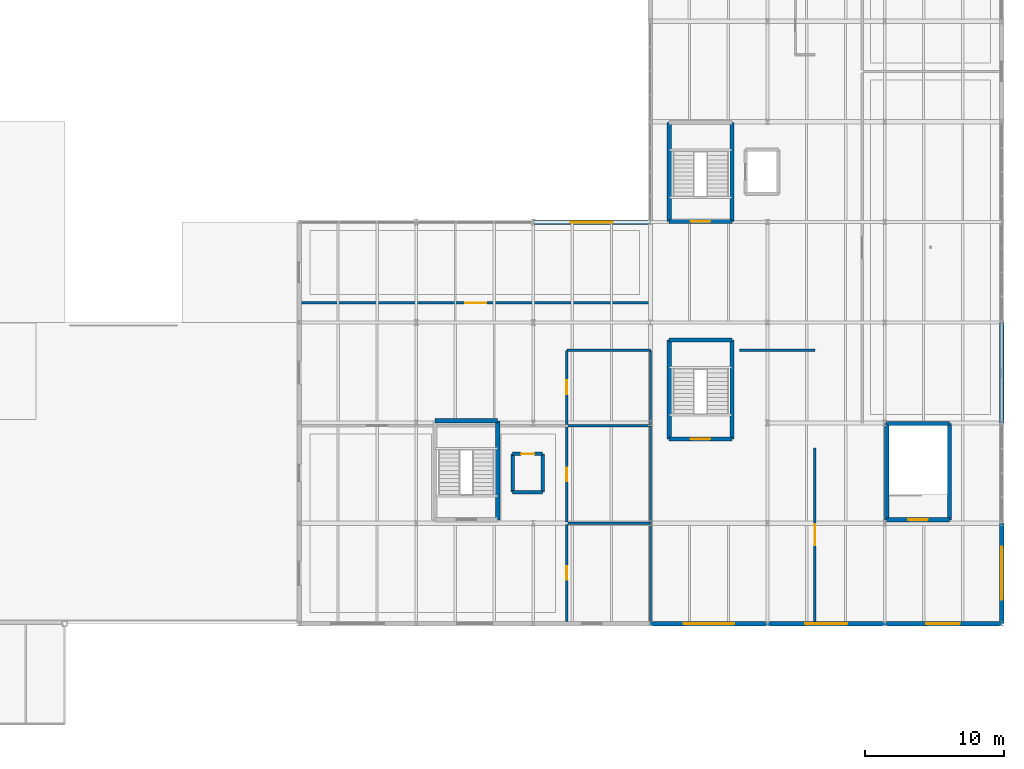
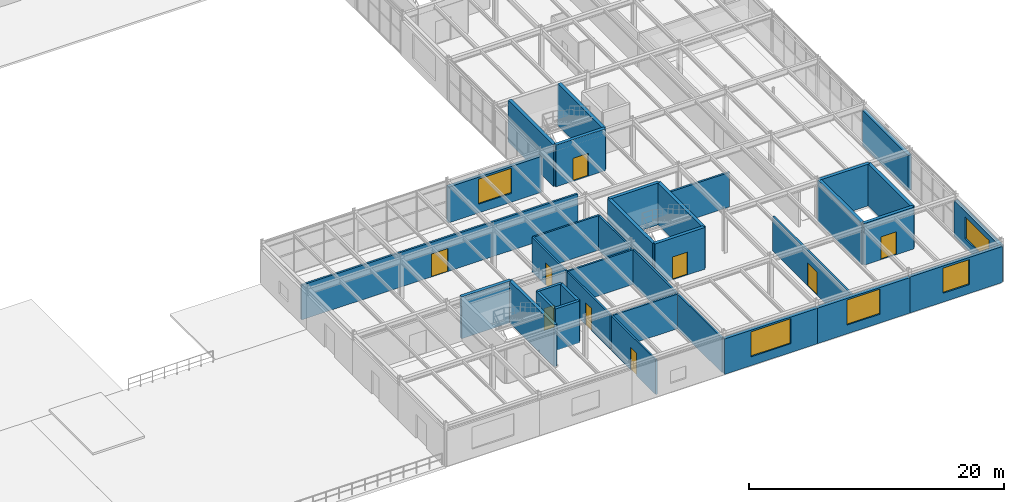
# One storey, part 65 of 73: 33 walls, 9 doors, 5 windows, 14 openings.
"""IFC4 building model written with IfcOpenShell, lengths in metres."""

import ifcopenshell
import ifcopenshell.guid

model = None  # the IFC model being written
_history = None  # IfcOwnerHistory: only IFC2X3 demands one
_inside = {}  # id of a spatial element -> (the spatial element, [elements in it])
_under = {}  # id of a project, library or spatial element -> (it, [spatial elements below it])
_declared = {}  # id of a project -> (the project, [libraries it declares])
_typed = {}  # id of a type object -> (the type object, [elements of that type])
_made_of = {}  # id of a material, layer set ... -> (it, [elements and type objects made of it])


def new_model(schema):
    """Start an empty IFC model of exactly this schema.

    Asked for "IFC4X3", IfcOpenShell would pick the latest addendum, in which some entities
    have other attributes; the version numbers below select the first issue.
    IFC2X3 requires an IfcOwnerHistory on every rooted entity: one is made here for all.
    """
    global model, _history
    if schema == "IFC4X3":
        model = ifcopenshell.file(schema_version=(4, 3, 0, 0))
    else:
        model = ifcopenshell.file(schema=schema)
    _inside.clear()
    _under.clear()
    _declared.clear()
    _typed.clear()
    _made_of.clear()
    _history = None
    if model.schema == "IFC2X3":
        org = make("IfcOrganization", Name="unknown")
        user = make(
            "IfcPersonAndOrganization",
            ThePerson=make("IfcPerson", FamilyName="unknown"),
            TheOrganization=org,
        )
        app = make(
            "IfcApplication",
            ApplicationDeveloper=org,
            Version="unknown",
            ApplicationFullName="unknown",
            ApplicationIdentifier="unknown",
        )
        _history = make(
            "IfcOwnerHistory",
            OwningUser=user,
            OwningApplication=app,
            ChangeAction="ADDED",
            CreationDate=0,
        )
    return model


def make(cls, **values):
    """One entity of the class cls with the attributes given. An attribute that is None is left unset."""
    return model.create_entity(
        cls, **{name: value for name, value in values.items() if value is not None}
    )


def rooted(cls, **values):
    """An entity with a GlobalId (a new one), such as an element, a storey or a relation."""
    return make(cls, GlobalId=ifcopenshell.guid.new(), OwnerHistory=_history, **values)


def si_unit(unit_type, name, prefix=None):
    """IfcSIUnit, for example si_unit("LENGTHUNIT", "METRE", prefix="MILLI")."""
    return make("IfcSIUnit", UnitType=unit_type, Prefix=prefix, Name=name)


def derived_unit(unit_type, elements):
    """IfcDerivedUnit: a product of units, each with its exponent."""
    return make(
        "IfcDerivedUnit",
        Elements=[
            make("IfcDerivedUnitElement", Unit=unit, Exponent=power)
            for unit, power in elements
        ],
        UnitType=unit_type,
    )


def assignment(units):
    """IfcUnitAssignment: the units of a project."""
    return None if units is None else make("IfcUnitAssignment", Units=units)


def point(xyz):
    """IfcCartesianPoint."""
    return None if xyz is None else make("IfcCartesianPoint", Coordinates=xyz)


def direction(xyz):
    """IfcDirection."""
    return None if xyz is None else make("IfcDirection", DirectionRatios=xyz)


def frame(location, z_axis=None, x_axis=None):
    """IfcAxis2Placement3D, a coordinate frame: its origin and axes. An axis left out is left unset."""
    return make(
        "IfcAxis2Placement3D",
        Location=point(location),
        Axis=direction(z_axis),
        RefDirection=direction(x_axis),
    )


def frame_2d(location, x_axis=None):
    """IfcAxis2Placement2D, a coordinate frame in the plane: its origin and x axis."""
    return make(
        "IfcAxis2Placement2D", Location=point(location), RefDirection=direction(x_axis)
    )


def origin():
    """The frame at (0, 0, 0) with its axes left unset."""
    return frame((0.0, 0.0, 0.0))


def place(relative_to, where):
    """IfcLocalPlacement: puts the frame where relative to a parent placement (None: the world)."""
    return make(
        "IfcLocalPlacement", PlacementRelTo=relative_to, RelativePlacement=where
    )


def context(
    kind, dimensions, precision=None, world=None, true_north=None, identifier=None
):
    """IfcGeometricRepresentationContext, for example the 3D "Model" context."""
    return make(
        "IfcGeometricRepresentationContext",
        ContextIdentifier=identifier,
        ContextType=kind,
        CoordinateSpaceDimension=dimensions,
        Precision=precision,
        WorldCoordinateSystem=world,
        TrueNorth=true_north,
    )


def subcontext(parent, identifier, kind, view, scale=None):
    """IfcGeometricRepresentationSubContext, for example "Body" below "Model"."""
    return make(
        "IfcGeometricRepresentationSubContext",
        ContextIdentifier=identifier,
        ContextType=kind,
        ParentContext=parent,
        TargetScale=scale,
        TargetView=view,
    )


def project(units=None, contexts=None):
    """IfcProject with its units and contexts."""
    return rooted(
        "IfcProject",
        Name="project",
        RepresentationContexts=contexts,
        UnitsInContext=assignment(units),
    )


def spatial(cls, under=None, at=None, **own):
    """A site, building, storey or space (cls), placed at a placement, below another one or the project."""
    s = rooted(cls, ObjectPlacement=at, **own)
    if under is not None:
        _under.setdefault(under.id(), (under, []))[1].append(s)
    return s


def profile(cls, at=None, kind="AREA", **sizes):
    """A parametric profile (cls). Its sizes go by their IFC names, for example OverallWidth=200.0."""
    return make(cls, ProfileType=kind, Position=at, **sizes)


def rectangle(**sizes):
    """IfcRectangleProfileDef."""
    return profile("IfcRectangleProfileDef", **sizes)


def extrude(swept, where, along, depth):
    """IfcExtrudedAreaSolid: the profile swept, set in the frame where, extruded along a direction by depth."""
    return make(
        "IfcExtrudedAreaSolid",
        SweptArea=swept,
        Position=where,
        ExtrudedDirection=direction(along),
        Depth=depth,
    )


def shape(context_of_items, identifier, shape_type, items):
    """IfcShapeRepresentation: the items that make up one representation, for example the "Body"."""
    return make(
        "IfcShapeRepresentation",
        ContextOfItems=context_of_items,
        RepresentationIdentifier=identifier,
        RepresentationType=shape_type,
        Items=items,
    )


def material(Name=None, Category=None):
    """IfcMaterial."""
    return make("IfcMaterial", Name=Name, Category=Category)


def layer(
    of_material, thickness, ventilated=None, Name=None, Category=None, Priority=None
):
    """IfcMaterialLayer: one layer of a wall or slab, of a material (None: an air gap)."""
    return make(
        "IfcMaterialLayer",
        Material=of_material,
        LayerThickness=thickness,
        IsVentilated=ventilated,
        Name=Name,
        Category=Category,
        Priority=Priority,
    )


def layer_set(layers, Name=None):
    """IfcMaterialLayerSet."""
    return make("IfcMaterialLayerSet", MaterialLayers=layers, LayerSetName=Name)


def made_of(thing, what):
    """Note that an element or type object is made of a material, layer set ...; save() writes the relation."""
    if what is not None:
        _made_of.setdefault(what.id(), (what, []))[1].append(thing)
    return thing


def type_object(cls, material=None, **own):
    """A type object (cls), such as IfcWallType, which elements share."""
    return made_of(rooted(cls, **own), material)


def element(
    cls,
    number,
    at=None,
    inside=None,
    cuts=None,
    type_object=None,
    material=None,
    context=None,
    identifier="Body",
    shape_type=None,
    held_by="IfcProductDefinitionShape",
    body=None,
    shapes=None,
    **own,
):
    """One element of the class cls, such as IfcWall. Its Tag is "e" and its number.

    at: its placement. inside: the storey or other place that contains it. cuts: it is an
    opening in that element (IfcRelVoidsElement). A single representation is given by context,
    identifier, shape_type and body (its items); several are given by shapes. held_by: the class
    of the entity that holds the representations. save() writes the other relations.
    """
    e = rooted(cls, Tag="e%d" % number, ObjectPlacement=at, **own)
    if body is not None:
        shapes = [shape(context, identifier, shape_type, body)]
    if shapes is not None:
        e.Representation = make(held_by, Representations=shapes)
    if inside is not None:
        _inside.setdefault(inside.id(), (inside, []))[1].append(e)
    if cuts is not None:
        rooted(
            "IfcRelVoidsElement", RelatingBuildingElement=cuts, RelatedOpeningElement=e
        )
    if type_object is not None:
        _typed.setdefault(type_object.id(), (type_object, []))[1].append(e)
    return made_of(e, material)


def fill(opening, filler):
    """IfcRelFillsElement: the door or window that sits in an opening."""
    return rooted(
        "IfcRelFillsElement",
        RelatingOpeningElement=opening,
        RelatedBuildingElement=filler,
    )


def aggregate(whole, parts):
    """IfcRelAggregates: a whole, such as a stair, and the parts it consists of."""
    return rooted("IfcRelAggregates", RelatingObject=whole, RelatedObjects=parts)


def save(model, path):
    """Write the relations noted so far, then the file.

    IfcRelAggregates (storeys below a building ...), IfcRelContainedInSpatialStructure (elements
    in a storey), IfcRelDefinesByType, IfcRelAssociatesMaterial and IfcRelDeclares: one each for
    every whole, place, type object, material and project.
    """
    for whole, parts in _under.values():
        aggregate(whole, parts)
    for where, things in _inside.values():
        rooted(
            "IfcRelContainedInSpatialStructure",
            RelatedElements=things,
            RelatingStructure=where,
        )
    for kind, things in _typed.values():
        rooted("IfcRelDefinesByType", RelatedObjects=things, RelatingType=kind)
    for what, things in _made_of.values():
        rooted("IfcRelAssociatesMaterial", RelatedObjects=things, RelatingMaterial=what)
    for by, libraries in _declared.values():
        rooted("IfcRelDeclares", RelatingContext=by, RelatedDefinitions=libraries)
    model.write(path)


model = new_model("IFC4")

# Units and contexts
model_context = context("Model", 3, precision=1e-05, world=origin(), true_north=direction((0.0, 1.0)))
body_context = subcontext(model_context, "Body", "Model", "MODEL_VIEW")
ifc_project = project(units=[si_unit("LENGTHUNIT", "METRE"), si_unit("AREAUNIT", "SQUARE_METRE"), si_unit("VOLUMEUNIT", "CUBIC_METRE"), si_unit("PLANEANGLEUNIT", "RADIAN"), si_unit("MASSUNIT", "GRAM", prefix="KILO"), derived_unit("THERMALTRANSMITTANCEUNIT", [(si_unit("MASSUNIT", "GRAM", prefix="KILO"), 1), (si_unit("TIMEUNIT", "SECOND"), -3), (si_unit("THERMODYNAMICTEMPERATUREUNIT", "KELVIN"), -1)])], contexts=[model_context])

# Site, building, storey
site_placement = place(None, origin())
site = spatial("IfcSite", under=ifc_project, at=site_placement, CompositionType="ELEMENT")
building_placement = place(site_placement, origin())
building = spatial("IfcBuilding", under=site, at=building_placement, Name="Kharveza Railside Sports Centre", CompositionType="ELEMENT")
storey_placement = place(building_placement, frame((0.0, 0.0, 8.699951171875)))
storey = spatial("IfcBuildingStorey", under=building, at=storey_placement, Name="L02", CompositionType="ELEMENT", Elevation=8.699951171875)

# Walls
ifc_material_1 = material(Name="Concrete C35/45", Category="concrete")
ifc_layer_1 = layer(ifc_material_1, 0.25, Name="Concrete C35/45")
ifc_layer_set_1 = layer_set([ifc_layer_1], Name="Concrete C35/45")
wall_type_1 = type_object("IfcWallType", Name="WL-CR250", PredefinedType="SHEAR", material=ifc_layer_set_1)
wall_1_placement = place(storey_placement, frame((132.925048828125, 16.625, 0.0), z_axis=(0.0, 0.0, 1.0), x_axis=(1.0, 0.0, 0.0)))
element("IfcWall", 1, at=wall_1_placement, inside=storey, type_object=wall_type_1, Name="WL-LFSH-LF3-L02-S", PredefinedType="SHEAR", context=body_context, shape_type="SweptSolid", body=[
    extrude(rectangle(XDim=2.14990234375, YDim=0.25, at=frame_2d((1.074951171875, 0.0))), origin(), (0.0, 0.0, 1.0), 4.0),
])
wall_2_placement = place(storey_placement, frame((135.074951171875, 16.625, 0.0), z_axis=(0.0, 0.0, 1.0), x_axis=(0.0, 1.0, 0.0)))
element("IfcWall", 2, at=wall_2_placement, inside=storey, type_object=wall_type_1, Name="WL-LFSH-LF3-L02-E", PredefinedType="SHEAR", context=body_context, shape_type="SweptSolid", body=[
    extrude(rectangle(XDim=2.75, YDim=0.25, at=frame_2d((1.375, 0.0))), origin(), (0.0, 0.0, 1.0), 4.0),
])

# Wall, opening, door
wall_3_placement = place(storey_placement, frame((135.074951171875, 19.375, 0.0), z_axis=(0.0, 0.0, 1.0), x_axis=(-1.0, 0.0, 0.0)))
wall_3 = element("IfcWall", 3, at=wall_3_placement, inside=storey, type_object=wall_type_1, Name="WL-LFSH-LF3-L02-N", PredefinedType="SHEAR", context=body_context, shape_type="SweptSolid", body=[
    extrude(rectangle(XDim=2.14990234375, YDim=0.25, at=frame_2d((1.074951171875, 0.0))), origin(), (0.0, 0.0, 1.0), 4.0),
])
opening_1_placement = place(wall_3_placement, frame((0.60009765625, 0.0, 0.0)))
opening_1 = element("IfcOpeningElement", 4, at=opening_1_placement, cuts=wall_3, Name="Opening D12", PredefinedType="OPENING", context=body_context, shape_type="SweptSolid", body=[
    extrude(rectangle(XDim=0.949951171875, YDim=2.10009765625, at=frame_2d((0.47509765625, 1.050048828125))), frame((0.0, 0.14990234375, 0.0), z_axis=(0.0, -1.0, 0.0), x_axis=(1.0, 0.0, 0.0)), (0.0, 0.0, 1.0), 0.2998046875),
])
ifc_material_2 = material(Name="Brushed stainless steel landing door", Category="steel")
door_type_1 = type_object("IfcDoorType", Name="DR-LF02", OperationType="NOTDEFINED", PredefinedType="DOOR", material=ifc_material_2)
door_1_placement = place(opening_1_placement, origin())
door_1 = element("IfcDoor", 5, at=door_1_placement, inside=storey, type_object=door_type_1, Name="DR-LD-LF3-L02", OperationType="SLIDING_TO_LEFT", OverallHeight=2.10009765625, OverallWidth=0.949951171875, PredefinedType="DOOR", context=body_context, shape_type="SweptSolid", body=[
    extrude(rectangle(XDim=0.949951171875, YDim=2.10009765625, at=frame_2d((0.47509765625, 1.050048828125))), frame((0.0, 0.02490234375, 0.0), z_axis=(0.0, -1.0, 0.0), x_axis=(1.0, 0.0, 0.0)), (0.0, 0.0, 1.0), 0.050048828125),
])
fill(opening_1, door_1)

# Wall
wall_4_placement = place(storey_placement, frame((132.925048828125, 19.375, 0.0), z_axis=(0.0, 0.0, 1.0), x_axis=(0.0, -1.0, 0.0)))
element("IfcWall", 6, at=wall_4_placement, inside=storey, type_object=wall_type_1, Name="WL-LFSH-LF3-L02-W", PredefinedType="SHEAR", context=body_context, shape_type="SweptSolid", body=[
    extrude(rectangle(XDim=2.75, YDim=0.25, at=frame_2d((1.375, 0.0))), origin(), (0.0, 0.0, 1.0), 4.0),
])

# Wall, opening, door
ifc_layer_2 = layer(ifc_material_1, 0.300048828125, Name="Concrete C35/45")
ifc_layer_set_2 = layer_set([ifc_layer_2], Name="Concrete C35/45")
wall_type_2 = type_object("IfcWallType", Name="WL-CR300", PredefinedType="SHEAR", material=ifc_layer_set_2)
wall_5_placement = place(storey_placement, frame((144.14990234375, 36.050048828125, 0.0), z_axis=(0.0, 0.0, 1.0), x_axis=(1.0, 0.0, 0.0)))
wall_5 = element("IfcWall", 7, at=wall_5_placement, inside=storey, type_object=wall_type_2, Name="WL-CORE-ST1-L02-S", PredefinedType="SHEAR", context=body_context, shape_type="SweptSolid", body=[
    extrude(rectangle(XDim=4.5, YDim=0.300048828125, at=frame_2d((2.25, 0.0))), origin(), (0.0, 0.0, 1.0), 4.0),
])
opening_2_placement = place(wall_5_placement, frame((1.550048828125, 0.0, 0.0)))
opening_2 = element("IfcOpeningElement", 8, at=opening_2_placement, cuts=wall_5, Name="Opening D09", PredefinedType="OPENING", context=body_context, shape_type="SweptSolid", body=[
    extrude(rectangle(XDim=1.39990234375, YDim=2.199951171875, at=frame_2d((0.699951171875, 1.10009765625))), frame((0.0, 0.1748046875, 0.0), z_axis=(0.0, -1.0, 0.0), x_axis=(1.0, 0.0, 0.0)), (0.0, 0.0, 1.0), 0.349853515625),
])
ifc_material_3 = material(Name="Fire-rated hardwood door leaf", Category="wood")
door_type_2 = type_object("IfcDoorType", Name="DR-ST02", OperationType="NOTDEFINED", PredefinedType="DOOR", material=ifc_material_3)
door_2_placement = place(opening_2_placement, frame((1.39990234375, 0.0, 0.0), z_axis=(0.0, 0.0, 1.0), x_axis=(-1.0, 0.0, 0.0)))
door_2 = element("IfcDoor", 9, at=door_2_placement, inside=storey, type_object=door_type_2, Name="DR-ST-ST1-L02", OperationType="SINGLE_SWING_RIGHT", OverallHeight=2.199951171875, OverallWidth=1.39990234375, PredefinedType="DOOR", context=body_context, shape_type="SweptSolid", body=[
    extrude(rectangle(XDim=1.39990234375, YDim=2.199951171875, at=frame_2d((0.699951171875, 1.10009765625))), frame((0.0, 0.02490234375, 0.0), z_axis=(0.0, -1.0, 0.0), x_axis=(1.0, 0.0, 0.0)), (0.0, 0.0, 1.0), 0.050048828125),
])
fill(opening_2, door_2)

# Walls
for number, where, z_axis, x_axis, name in (
    (10, (148.64990234375, 36.050048828125, 0.0), (0.0, 0.0, 1.0), (0.0, 1.0, 0.0), "WL-CORE-ST1-L02-E"),
    (11, (144.14990234375, 43.14990234375, 0.0), (0.0, 0.0, 1.0), (0.0, -1.0, 0.0), "WL-CORE-ST1-L02-W"),
):
    element("IfcWall", number, at=place(storey_placement, frame(where, z_axis=z_axis, x_axis=x_axis)), inside=storey, type_object=wall_type_2, Name=name, PredefinedType="SHEAR", context=body_context, shape_type="SweptSolid", body=[
        extrude(rectangle(XDim=7.099853515625, YDim=0.300048828125, at=frame_2d((3.5498046875, 0.0))), origin(), (0.0, 0.0, 1.0), 4.0),
    ])
wall_6_placement = place(storey_placement, frame((131.85009765625, 14.64990234375, 0.0), z_axis=(0.0, 0.0, 1.0), x_axis=(0.0, 1.0, 0.0)))
element("IfcWall", 12, at=wall_6_placement, inside=storey, type_object=wall_type_2, Name="WL-CORE-ST3-L02-E", PredefinedType="SHEAR", context=body_context, shape_type="SweptSolid", body=[
    extrude(rectangle(XDim=7.10009765625, YDim=0.300048828125, at=frame_2d((3.550048828125, 0.0))), origin(), (0.0, 0.0, 1.0), 4.0),
])
wall_7_placement = place(storey_placement, frame((131.85009765625, 21.75, 0.0), z_axis=(0.0, 0.0, 1.0), x_axis=(-1.0, 0.0, 0.0)))
element("IfcWall", 13, at=wall_7_placement, inside=storey, type_object=wall_type_2, Name="WL-CORE-ST3-L02-N", PredefinedType="SHEAR", context=body_context, shape_type="SweptSolid", body=[
    extrude(rectangle(XDim=4.5, YDim=0.300048828125, at=frame_2d((2.25, 0.0))), origin(), (0.0, 0.0, 1.0), 4.0),
])

# Wall, opening, door
wall_8_placement = place(storey_placement, frame((144.14990234375, 20.449951171875, 0.0), z_axis=(0.0, 0.0, 1.0), x_axis=(1.0, 0.0, 0.0)))
wall_8 = element("IfcWall", 14, at=wall_8_placement, inside=storey, type_object=wall_type_2, Name="WL-CORE-ST5-L02-S", PredefinedType="SHEAR", context=body_context, shape_type="SweptSolid", body=[
    extrude(rectangle(XDim=4.5, YDim=0.300048828125, at=frame_2d((2.25, 0.0))), origin(), (0.0, 0.0, 1.0), 4.0),
])
opening_3_placement = place(wall_8_placement, frame((1.550048828125, 0.0, 0.0)))
opening_3 = element("IfcOpeningElement", 15, at=opening_3_placement, cuts=wall_8, Name="Opening D09", PredefinedType="OPENING", context=body_context, shape_type="SweptSolid", body=[
    extrude(rectangle(XDim=1.39990234375, YDim=2.199951171875, at=frame_2d((0.699951171875, 1.10009765625))), frame((0.0, 0.1748046875, 0.0), z_axis=(0.0, -1.0, 0.0), x_axis=(1.0, 0.0, 0.0)), (0.0, 0.0, 1.0), 0.349853515625),
])
door_3_placement = place(opening_3_placement, frame((1.39990234375, 0.0, 0.0), z_axis=(0.0, 0.0, 1.0), x_axis=(-1.0, 0.0, 0.0)))
door_3 = element("IfcDoor", 16, at=door_3_placement, inside=storey, type_object=door_type_2, Name="DR-ST-ST5-L02", OperationType="SINGLE_SWING_RIGHT", OverallHeight=2.199951171875, OverallWidth=1.39990234375, PredefinedType="DOOR", context=body_context, shape_type="SweptSolid", body=[
    extrude(rectangle(XDim=1.39990234375, YDim=2.199951171875, at=frame_2d((0.699951171875, 1.10009765625))), frame((0.0, 0.02490234375, 0.0), z_axis=(0.0, -1.0, 0.0), x_axis=(1.0, 0.0, 0.0)), (0.0, 0.0, 1.0), 0.050048828125),
])
fill(opening_3, door_3)

# Walls
wall_9_placement = place(storey_placement, frame((148.64990234375, 20.449951171875, 0.0), z_axis=(0.0, 0.0, 1.0), x_axis=(0.0, 1.0, 0.0)))
element("IfcWall", 17, at=wall_9_placement, inside=storey, type_object=wall_type_2, Name="WL-CORE-ST5-L02-E", PredefinedType="SHEAR", context=body_context, shape_type="SweptSolid", body=[
    extrude(rectangle(XDim=7.10009765625, YDim=0.300048828125, at=frame_2d((3.550048828125, 0.0))), origin(), (0.0, 0.0, 1.0), 4.0),
])
wall_10_placement = place(storey_placement, frame((148.64990234375, 27.550048828125, 0.0), z_axis=(0.0, 0.0, 1.0), x_axis=(-1.0, 0.0, 0.0)))
element("IfcWall", 18, at=wall_10_placement, inside=storey, type_object=wall_type_2, Name="WL-CORE-ST5-L02-N", PredefinedType="SHEAR", context=body_context, shape_type="SweptSolid", body=[
    extrude(rectangle(XDim=4.5, YDim=0.300048828125, at=frame_2d((2.25, 0.0))), origin(), (0.0, 0.0, 1.0), 4.0),
])
wall_11_placement = place(storey_placement, frame((144.14990234375, 27.550048828125, 0.0), z_axis=(0.0, 0.0, 1.0), x_axis=(0.0, -1.0, 0.0)))
element("IfcWall", 19, at=wall_11_placement, inside=storey, type_object=wall_type_2, Name="WL-CORE-ST5-L02-W", PredefinedType="SHEAR", context=body_context, shape_type="SweptSolid", body=[
    extrude(rectangle(XDim=7.10009765625, YDim=0.300048828125, at=frame_2d((3.550048828125, 0.0))), origin(), (0.0, 0.0, 1.0), 4.0),
])

# Wall, opening, door
wall_12_placement = place(storey_placement, frame((159.75, 14.64990234375, 0.0), z_axis=(0.0, 0.0, 1.0), x_axis=(1.0, 0.0, 0.0)))
wall_12 = element("IfcWall", 20, at=wall_12_placement, inside=storey, type_object=wall_type_2, Name="WL-CORE-ST11-L02-S", PredefinedType="SHEAR", context=body_context, shape_type="SweptSolid", body=[
    extrude(rectangle(XDim=4.5, YDim=0.300048828125, at=frame_2d((2.25, 0.0))), origin(), (0.0, 0.0, 1.0), 4.0),
])
opening_4_placement = place(wall_12_placement, frame((1.550048828125, 0.0, 0.0)))
opening_4 = element("IfcOpeningElement", 21, at=opening_4_placement, cuts=wall_12, Name="Opening D09", PredefinedType="OPENING", context=body_context, shape_type="SweptSolid", body=[
    extrude(rectangle(XDim=1.39990234375, YDim=2.199951171875, at=frame_2d((0.699951171875, 1.10009765625))), frame((0.0, 0.1748046875, 0.0), z_axis=(0.0, -1.0, 0.0), x_axis=(1.0, 0.0, 0.0)), (0.0, 0.0, 1.0), 0.349853515625),
])
door_4_placement = place(opening_4_placement, frame((1.39990234375, 0.0, 0.0), z_axis=(0.0, 0.0, 1.0), x_axis=(-1.0, 0.0, 0.0)))
door_4 = element("IfcDoor", 22, at=door_4_placement, inside=storey, type_object=door_type_2, Name="DR-ST-ST11-L02", OperationType="SINGLE_SWING_RIGHT", OverallHeight=2.199951171875, OverallWidth=1.39990234375, PredefinedType="DOOR", context=body_context, shape_type="SweptSolid", body=[
    extrude(rectangle(XDim=1.39990234375, YDim=2.199951171875, at=frame_2d((0.699951171875, 1.10009765625))), frame((0.0, 0.02490234375, 0.0), z_axis=(0.0, -1.0, 0.0), x_axis=(1.0, 0.0, 0.0)), (0.0, 0.0, 1.0), 0.050048828125),
])
fill(opening_4, door_4)

# Walls
wall_13_placement = place(storey_placement, frame((164.25, 14.64990234375, 0.0), z_axis=(0.0, 0.0, 1.0), x_axis=(0.0, 1.0, 0.0)))
element("IfcWall", 23, at=wall_13_placement, inside=storey, type_object=wall_type_2, Name="WL-CORE-ST11-L02-E", PredefinedType="SHEAR", context=body_context, shape_type="SweptSolid", body=[
    extrude(rectangle(XDim=6.900146484375, YDim=0.300048828125, at=frame_2d((3.4501953125, 0.0))), origin(), (0.0, 0.0, 1.0), 4.0),
])
wall_14_placement = place(storey_placement, frame((164.25, 21.550048828125, 0.0), z_axis=(0.0, 0.0, 1.0), x_axis=(-1.0, 0.0, 0.0)))
element("IfcWall", 24, at=wall_14_placement, inside=storey, type_object=wall_type_2, Name="WL-CORE-ST11-L02-N", PredefinedType="SHEAR", context=body_context, shape_type="SweptSolid", body=[
    extrude(rectangle(XDim=4.5, YDim=0.300048828125, at=frame_2d((2.25, 0.0))), origin(), (0.0, 0.0, 1.0), 4.0),
])
wall_15_placement = place(storey_placement, frame((159.75, 21.550048828125, 0.0), z_axis=(0.0, 0.0, 1.0), x_axis=(0.0, -1.0, 0.0)))
element("IfcWall", 25, at=wall_15_placement, inside=storey, type_object=wall_type_2, Name="WL-CORE-ST11-L02-W", PredefinedType="SHEAR", context=body_context, shape_type="SweptSolid", body=[
    extrude(rectangle(XDim=6.900146484375, YDim=0.300048828125, at=frame_2d((3.4501953125, 0.0))), origin(), (0.0, 0.0, 1.0), 4.0),
])

# Wall, opening, window
ifc_material_4 = material(Name="Precast concrete C40/50", Category="concrete")
ifc_layer_3 = layer(ifc_material_4, 0.320068359375, Name="Precast concrete C40/50")
ifc_layer_set_3 = layer_set([ifc_layer_3], Name="Precast concrete C40/50")
wall_type_3 = type_object("IfcWallType", Name="WL-EX320", PredefinedType="STANDARD", material=ifc_layer_set_3)
wall_16_placement = place(storey_placement, frame((142.800048828125, 7.199951171875, 0.0), z_axis=(0.0, 0.0, 1.0), x_axis=(1.0, 0.0, 0.0)))
wall_16 = element("IfcWall", 26, at=wall_16_placement, inside=storey, type_object=wall_type_3, Name="WL-EXT-L02-168", PredefinedType="STANDARD", context=body_context, shape_type="SweptSolid", body=[
    extrude(rectangle(XDim=8.39990234375, YDim=0.320068359375, at=frame_2d((4.199951171875, 0.0))), origin(), (0.0, 0.0, 1.0), 3.405029296875),
])
opening_5_placement = place(wall_16_placement, frame((2.39990234375, 0.0, 0.85009765625)))
opening_5 = element("IfcOpeningElement", 27, at=opening_5_placement, cuts=wall_16, Name="Opening WN01", PredefinedType="OPENING", context=body_context, shape_type="SweptSolid", body=[
    extrude(rectangle(XDim=3.60009765625, YDim=2.39990234375, at=frame_2d((1.800048828125, 1.199951171875))), frame((0.0, 0.18505859375, 0.0), z_axis=(0.0, -1.0, 0.0), x_axis=(1.0, 0.0, 0.0)), (0.0, 0.0, 1.0), 0.369873046875),
])
ifc_material_5 = material(Name="Low-E solar-control laminated glass", Category="glass")
window_type_1 = type_object("IfcWindowType", Name="WN-F01", PartitioningType="SINGLE_PANEL", PredefinedType="WINDOW", material=ifc_material_5)
window_1_placement = place(opening_5_placement, origin())
window_1 = element("IfcWindow", 28, at=window_1_placement, inside=storey, type_object=window_type_1, Name="WN-EXT-L02-092", OverallHeight=2.39990234375, OverallWidth=3.60009765625, PartitioningType="SINGLE_PANEL", PredefinedType="WINDOW", context=body_context, shape_type="SweptSolid", body=[
    extrude(rectangle(XDim=3.60009765625, YDim=2.39990234375, at=frame_2d((1.800048828125, 1.199951171875))), frame((0.0, 0.030029296875, 0.0), z_axis=(0.0, -1.0, 0.0), x_axis=(1.0, 0.0, 0.0)), (0.0, 0.0, 1.0), 0.06005859375),
])
fill(opening_5, window_1)

wall_17_placement = place(storey_placement, frame((151.199951171875, 7.199951171875, 0.0), z_axis=(0.0, 0.0, 1.0), x_axis=(1.0, 0.0, 0.0)))
wall_17 = element("IfcWall", 29, at=wall_17_placement, inside=storey, type_object=wall_type_3, Name="WL-EXT-L02-169", PredefinedType="STANDARD", context=body_context, shape_type="SweptSolid", body=[
    extrude(rectangle(XDim=8.400146484375, YDim=0.320068359375, at=frame_2d((4.2001953125, 0.0))), origin(), (0.0, 0.0, 1.0), 3.405029296875),
])
opening_6_placement = place(wall_17_placement, frame((2.699951171875, 0.0, 0.85009765625)))
opening_6 = element("IfcOpeningElement", 30, at=opening_6_placement, cuts=wall_17, Name="Opening WN02", PredefinedType="OPENING", context=body_context, shape_type="SweptSolid", body=[
    extrude(rectangle(XDim=3.0, YDim=2.39990234375, at=frame_2d((1.5, 1.199951171875))), frame((0.0, 0.18505859375, 0.0), z_axis=(0.0, -1.0, 0.0), x_axis=(1.0, 0.0, 0.0)), (0.0, 0.0, 1.0), 0.369873046875),
])
window_type_2 = type_object("IfcWindowType", Name="WN-F02", PartitioningType="SINGLE_PANEL", PredefinedType="WINDOW", material=ifc_material_5)
window_2_placement = place(opening_6_placement, origin())
window_2 = element("IfcWindow", 31, at=window_2_placement, inside=storey, type_object=window_type_2, Name="WN-EXT-L02-093", OverallHeight=2.39990234375, OverallWidth=3.0, PartitioningType="SINGLE_PANEL", PredefinedType="WINDOW", context=body_context, shape_type="SweptSolid", body=[
    extrude(rectangle(XDim=3.0, YDim=2.39990234375, at=frame_2d((1.5, 1.199951171875))), frame((0.0, 0.030029296875, 0.0), z_axis=(0.0, -1.0, 0.0), x_axis=(1.0, 0.0, 0.0)), (0.0, 0.0, 1.0), 0.06005859375),
])
fill(opening_6, window_2)

wall_18_placement = place(storey_placement, frame((159.60009765625, 7.199951171875, 0.0), z_axis=(0.0, 0.0, 1.0), x_axis=(1.0, 0.0, 0.0)))
wall_18 = element("IfcWall", 32, at=wall_18_placement, inside=storey, type_object=wall_type_3, Name="WL-EXT-L02-170", PredefinedType="STANDARD", context=body_context, shape_type="SweptSolid", body=[
    extrude(rectangle(XDim=8.39990234375, YDim=0.320068359375, at=frame_2d((4.199951171875, 0.0))), origin(), (0.0, 0.0, 1.0), 3.455078125),
])
opening_7_placement = place(wall_18_placement, frame((3.0, 0.0, 0.85009765625)))
opening_7 = element("IfcOpeningElement", 33, at=opening_7_placement, cuts=wall_18, Name="Opening WN03", PredefinedType="OPENING", context=body_context, shape_type="SweptSolid", body=[
    extrude(rectangle(XDim=2.39990234375, YDim=2.39990234375, at=frame_2d((1.199951171875, 1.199951171875))), frame((0.0, 0.18505859375, 0.0), z_axis=(0.0, -1.0, 0.0), x_axis=(1.0, 0.0, 0.0)), (0.0, 0.0, 1.0), 0.369873046875),
])
window_type_3 = type_object("IfcWindowType", Name="WN-F03", PartitioningType="SINGLE_PANEL", PredefinedType="WINDOW", material=ifc_material_5)
window_3_placement = place(opening_7_placement, origin())
window_3 = element("IfcWindow", 34, at=window_3_placement, inside=storey, type_object=window_type_3, Name="WN-EXT-L02-094", OverallHeight=2.39990234375, OverallWidth=2.39990234375, PartitioningType="SINGLE_PANEL", PredefinedType="WINDOW", context=body_context, shape_type="SweptSolid", body=[
    extrude(rectangle(XDim=2.39990234375, YDim=2.39990234375, at=frame_2d((1.199951171875, 1.199951171875))), frame((0.0, 0.030029296875, 0.0), z_axis=(0.0, -1.0, 0.0), x_axis=(1.0, 0.0, 0.0)), (0.0, 0.0, 1.0), 0.06005859375),
])
fill(opening_7, window_3)

wall_19_placement = place(storey_placement, frame((168.0, 7.199951171875, 0.0), z_axis=(0.0, 0.0, 1.0), x_axis=(0.0, 1.0, 0.0)))
wall_19 = element("IfcWall", 35, at=wall_19_placement, inside=storey, type_object=wall_type_3, Name="WL-EXT-L02-171", PredefinedType="STANDARD", context=body_context, shape_type="SweptSolid", body=[
    extrude(rectangle(XDim=7.199951171875, YDim=0.320068359375, at=frame_2d((3.60009765625, 0.0))), origin(), (0.0, 0.0, 1.0), 3.455078125),
])
opening_8_placement = place(wall_19_placement, frame((1.699951171875, 0.0, 0.85009765625)))
opening_8 = element("IfcOpeningElement", 36, at=opening_8_placement, cuts=wall_19, Name="Opening WN17", PredefinedType="OPENING", context=body_context, shape_type="SweptSolid", body=[
    extrude(rectangle(XDim=3.800048828125, YDim=2.10009765625, at=frame_2d((1.89990234375, 1.050048828125))), frame((0.0, 0.18505859375, 0.0), z_axis=(0.0, -1.0, 0.0), x_axis=(1.0, 0.0, 0.0)), (0.0, 0.0, 1.0), 0.369873046875),
])
window_type_4 = type_object("IfcWindowType", Name="WN-Z01", PartitioningType="SINGLE_PANEL", PredefinedType="WINDOW", material=ifc_material_5)
window_4_placement = place(opening_8_placement, origin())
window_4 = element("IfcWindow", 37, at=window_4_placement, inside=storey, type_object=window_type_4, Name="WN-EXT-L02-095", OverallHeight=2.10009765625, OverallWidth=3.800048828125, PartitioningType="SINGLE_PANEL", PredefinedType="WINDOW", context=body_context, shape_type="SweptSolid", body=[
    extrude(rectangle(XDim=3.800048828125, YDim=2.10009765625, at=frame_2d((1.89990234375, 1.050048828125))), frame((0.0, 0.030029296875, 0.0), z_axis=(0.0, -1.0, 0.0), x_axis=(1.0, 0.0, 0.0)), (0.0, 0.0, 1.0), 0.06005859375),
])
fill(opening_8, window_4)

# Wall
wall_20_placement = place(storey_placement, frame((168.0, 21.60009765625, 0.0), z_axis=(0.0, 0.0, 1.0), x_axis=(0.0, 1.0, 0.0)))
element("IfcWall", 38, at=wall_20_placement, inside=storey, type_object=wall_type_3, Name="WL-EXT-L02-172", PredefinedType="STANDARD", context=body_context, shape_type="SweptSolid", body=[
    extrude(rectangle(XDim=7.199951171875, YDim=0.320068359375, at=frame_2d((3.60009765625, 0.0))), origin(), (0.0, 0.0, 1.0), 3.385009765625),
])

# Wall, opening, window
wall_21_placement = place(storey_placement, frame((142.800048828125, 36.0, 0.0), z_axis=(0.0, 0.0, 1.0), x_axis=(-1.0, 0.0, 0.0)))
wall_21 = element("IfcWall", 39, at=wall_21_placement, inside=storey, type_object=wall_type_3, Name="WL-EXT-L02-199", PredefinedType="STANDARD", context=body_context, shape_type="SweptSolid", body=[
    extrude(rectangle(XDim=8.400146484375, YDim=0.320068359375, at=frame_2d((4.2001953125, 0.0))), origin(), (0.0, 0.0, 1.0), 3.43505859375),
])
opening_9_placement = place(wall_21_placement, frame((2.699951171875, 0.0, 0.85009765625)))
opening_9 = element("IfcOpeningElement", 40, at=opening_9_placement, cuts=wall_21, Name="Opening WN02", PredefinedType="OPENING", context=body_context, shape_type="SweptSolid", body=[
    extrude(rectangle(XDim=3.0, YDim=2.39990234375, at=frame_2d((1.5, 1.199951171875))), frame((0.0, 0.18505859375, 0.0), z_axis=(0.0, -1.0, 0.0), x_axis=(1.0, 0.0, 0.0)), (0.0, 0.0, 1.0), 0.369873046875),
])
window_5_placement = place(opening_9_placement, origin())
window_5 = element("IfcWindow", 41, at=window_5_placement, inside=storey, type_object=window_type_2, Name="WN-EXT-L02-113", OverallHeight=2.39990234375, OverallWidth=3.0, PartitioningType="SINGLE_PANEL", PredefinedType="WINDOW", context=body_context, shape_type="SweptSolid", body=[
    extrude(rectangle(XDim=3.0, YDim=2.39990234375, at=frame_2d((1.5, 1.199951171875))), frame((0.0, 0.030029296875, 0.0), z_axis=(0.0, -1.0, 0.0), x_axis=(1.0, 0.0, 0.0)), (0.0, 0.0, 1.0), 0.06005859375),
])
fill(opening_9, window_5)

# Wall, opening, door
ifc_layer_4 = layer(ifc_material_1, 0.159912109375, Name="Concrete C35/45")
ifc_layer_set_4 = layer_set([ifc_layer_4], Name="Concrete C35/45")
wall_type_4 = type_object("IfcWallType", Name="WL-PT160", PredefinedType="PARTITIONING", material=ifc_layer_set_4)
wall_22_placement = place(storey_placement, frame((136.800048828125, 7.35009765625, 0.0), z_axis=(0.0, 0.0, 1.0), x_axis=(0.0, 1.0, 0.0)))
wall_22 = element("IfcWall", 42, at=wall_22_placement, inside=storey, type_object=wall_type_4, Name="WL-INT-L02-076", PredefinedType="PARTITIONING", context=body_context, shape_type="SweptSolid", body=[
    extrude(rectangle(XDim=6.949951171875, YDim=0.159912109375, at=frame_2d((3.47509765625, 0.0))), origin(), (0.0, 0.0, 1.0), 3.320068359375),
])
opening_10_placement = place(wall_22_placement, frame((3.0, 0.0, 0.0)))
opening_10 = element("IfcOpeningElement", 43, at=opening_10_placement, cuts=wall_22, Name="Opening D19", PredefinedType="OPENING", context=body_context, shape_type="SweptSolid", body=[
    extrude(rectangle(XDim=0.949951171875, YDim=2.14990234375, at=frame_2d((0.47509765625, 1.074951171875))), frame((0.0, 0.10498046875, 0.0), z_axis=(0.0, -1.0, 0.0), x_axis=(1.0, 0.0, 0.0)), (0.0, 0.0, 1.0), 0.209716796875),
])
door_type_3 = type_object("IfcDoorType", Name="DR-IN07", OperationType="NOTDEFINED", PredefinedType="DOOR", material=ifc_material_3)
door_5_placement = place(opening_10_placement, origin())
door_5 = element("IfcDoor", 44, at=door_5_placement, inside=storey, type_object=door_type_3, Name="DR-INT-L02-043", OperationType="SINGLE_SWING_RIGHT", OverallHeight=2.14990234375, OverallWidth=0.949951171875, PredefinedType="DOOR", context=body_context, shape_type="SweptSolid", body=[
    extrude(rectangle(XDim=0.949951171875, YDim=2.14990234375, at=frame_2d((0.47509765625, 1.074951171875))), frame((0.0, 0.02490234375, 0.0), z_axis=(0.0, -1.0, 0.0), x_axis=(1.0, 0.0, 0.0)), (0.0, 0.0, 1.0), 0.050048828125),
])
fill(opening_10, door_5)

wall_23_placement = place(storey_placement, frame((136.800048828125, 14.5, 0.0), z_axis=(0.0, 0.0, 1.0), x_axis=(0.0, 1.0, 0.0)))
wall_23 = element("IfcWall", 45, at=wall_23_placement, inside=storey, type_object=wall_type_4, Name="WL-INT-L02-077", PredefinedType="PARTITIONING", context=body_context, shape_type="SweptSolid", body=[
    extrude(rectangle(XDim=6.800048828125, YDim=0.159912109375, at=frame_2d((3.39990234375, 0.0))), origin(), (0.0, 0.0, 1.0), 3.320068359375),
])
opening_11_placement = place(wall_23_placement, frame((2.925048828125, 0.0, 0.0)))
opening_11 = element("IfcOpeningElement", 46, at=opening_11_placement, cuts=wall_23, Name="Opening D19", PredefinedType="OPENING", context=body_context, shape_type="SweptSolid", body=[
    extrude(rectangle(XDim=0.949951171875, YDim=2.14990234375, at=frame_2d((0.47509765625, 1.074951171875))), frame((0.0, 0.10498046875, 0.0), z_axis=(0.0, -1.0, 0.0), x_axis=(1.0, 0.0, 0.0)), (0.0, 0.0, 1.0), 0.209716796875),
])
door_6_placement = place(opening_11_placement, origin())
door_6 = element("IfcDoor", 47, at=door_6_placement, inside=storey, type_object=door_type_3, Name="DR-INT-L02-044", OperationType="SINGLE_SWING_LEFT", OverallHeight=2.14990234375, OverallWidth=0.949951171875, PredefinedType="DOOR", context=body_context, shape_type="SweptSolid", body=[
    extrude(rectangle(XDim=0.949951171875, YDim=2.14990234375, at=frame_2d((0.47509765625, 1.074951171875))), frame((0.0, 0.02490234375, 0.0), z_axis=(0.0, -1.0, 0.0), x_axis=(1.0, 0.0, 0.0)), (0.0, 0.0, 1.0), 0.050048828125),
])
fill(opening_11, door_6)

wall_24_placement = place(storey_placement, frame((136.800048828125, 21.5, 0.0), z_axis=(0.0, 0.0, 1.0), x_axis=(0.0, 1.0, 0.0)))
wall_24 = element("IfcWall", 48, at=wall_24_placement, inside=storey, type_object=wall_type_4, Name="WL-INT-L02-078", PredefinedType="PARTITIONING", context=body_context, shape_type="SweptSolid", body=[
    extrude(rectangle(XDim=5.300048828125, YDim=0.159912109375, at=frame_2d((2.64990234375, 0.0))), origin(), (0.0, 0.0, 1.0), 3.320068359375),
])
opening_12_placement = place(wall_24_placement, frame((2.14990234375, 0.0, 0.0)))
opening_12 = element("IfcOpeningElement", 49, at=opening_12_placement, cuts=wall_24, Name="Opening D18", PredefinedType="OPENING", context=body_context, shape_type="SweptSolid", body=[
    extrude(rectangle(XDim=1.0, YDim=2.14990234375, at=frame_2d((0.5, 1.074951171875))), frame((0.0, 0.10498046875, 0.0), z_axis=(0.0, -1.0, 0.0), x_axis=(1.0, 0.0, 0.0)), (0.0, 0.0, 1.0), 0.209716796875),
])
door_type_4 = type_object("IfcDoorType", Name="DR-IN06", OperationType="NOTDEFINED", PredefinedType="DOOR", material=ifc_material_3)
door_7_placement = place(opening_12_placement, frame((1.0, 0.0, 0.0), z_axis=(0.0, 0.0, 1.0), x_axis=(-1.0, 0.0, 0.0)))
door_7 = element("IfcDoor", 50, at=door_7_placement, inside=storey, type_object=door_type_4, Name="DR-INT-L02-045", OperationType="SINGLE_SWING_RIGHT", OverallHeight=2.14990234375, OverallWidth=1.0, PredefinedType="DOOR", context=body_context, shape_type="SweptSolid", body=[
    extrude(rectangle(XDim=1.0, YDim=2.14990234375, at=frame_2d((0.5, 1.074951171875))), frame((0.0, 0.02490234375, 0.0), z_axis=(0.0, -1.0, 0.0), x_axis=(1.0, 0.0, 0.0)), (0.0, 0.0, 1.0), 0.050048828125),
])
fill(opening_12, door_7)

# Walls
for number, where, z_axis, x_axis, name in (
    (51, (136.89990234375, 14.39990234375, 0.0), (0.0, 0.0, 1.0), (1.0, 0.0, 0.0), "WL-INT-L02-079"),
    (52, (136.89990234375, 21.39990234375, 0.0), (0.0, 0.0, 1.0), (1.0, 0.0, 0.0), "WL-INT-L02-080"),
):
    element("IfcWall", number, at=place(storey_placement, frame(where, z_axis=z_axis, x_axis=x_axis)), inside=storey, type_object=wall_type_4, Name=name, PredefinedType="PARTITIONING", context=body_context, shape_type="SweptSolid", body=[
        extrude(rectangle(XDim=5.900146484375, YDim=0.159912109375, at=frame_2d((2.9501953125, 0.0))), origin(), (0.0, 0.0, 1.0), 3.320068359375),
    ])
wall_25_placement = place(storey_placement, frame((136.800048828125, 26.800048828125, 0.0), z_axis=(0.0, 0.0, 1.0), x_axis=(1.0, 0.0, 0.0)))
element("IfcWall", 53, at=wall_25_placement, inside=storey, type_object=wall_type_4, Name="WL-INT-L02-081", PredefinedType="PARTITIONING", context=body_context, shape_type="SweptSolid", body=[
    extrude(rectangle(XDim=6.0, YDim=0.159912109375, at=frame_2d((3.0, 0.0))), origin(), (0.0, 0.0, 1.0), 3.320068359375),
])
wall_26_placement = place(storey_placement, frame((142.800048828125, 7.35009765625, 0.0), z_axis=(0.0, 0.0, 1.0), x_axis=(0.0, 1.0, 0.0)))
element("IfcWall", 54, at=wall_26_placement, inside=storey, type_object=wall_type_4, Name="WL-INT-L02-082", PredefinedType="PARTITIONING", context=body_context, shape_type="SweptSolid", body=[
    extrude(rectangle(XDim=19.449951171875, YDim=0.159912109375, at=frame_2d((9.72509765625, 0.0))), origin(), (0.0, 0.0, 1.0), 3.320068359375),
])

# Wall, opening, door
ifc_material_6 = material(Name="Gypsum board acoustic stud partition")
ifc_layer_5 = layer(ifc_material_6, 0.175048828125, Name="Gypsum board acoustic stud partition")
ifc_layer_set_5 = layer_set([ifc_layer_5], Name="Gypsum board acoustic stud partition")
wall_type_5 = type_object("IfcWallType", Name="WL-PT175", PredefinedType="PARTITIONING", material=ifc_layer_set_5)
wall_27_placement = place(storey_placement, frame((117.75, 30.199951171875, 0.0), z_axis=(0.0, 0.0, 1.0), x_axis=(1.0, 0.0, 0.0)))
wall_27 = element("IfcWall", 55, at=wall_27_placement, inside=storey, type_object=wall_type_5, Name="WL-INT-L02-075", PredefinedType="PARTITIONING", context=body_context, shape_type="SweptSolid", body=[
    extrude(rectangle(XDim=25.050048828125, YDim=0.175048828125, at=frame_2d((12.52490234375, 0.0))), origin(), (0.0, 0.0, 1.0), 3.320068359375),
])
opening_13_placement = place(wall_27_placement, frame((11.77490234375, 0.0, 0.0)))
opening_13 = element("IfcOpeningElement", 56, at=opening_13_placement, cuts=wall_27, Name="Opening D15", PredefinedType="OPENING", context=body_context, shape_type="SweptSolid", body=[
    extrude(rectangle(XDim=1.5, YDim=2.199951171875, at=frame_2d((0.75, 1.10009765625))), frame((0.0, 0.1123046875, 0.0), z_axis=(0.0, -1.0, 0.0), x_axis=(1.0, 0.0, 0.0)), (0.0, 0.0, 1.0), 0.224853515625),
])
door_type_5 = type_object("IfcDoorType", Name="DR-IN03", OperationType="NOTDEFINED", PredefinedType="DOOR", material=ifc_material_3)
door_8_placement = place(opening_13_placement, frame((1.5, 0.0, 0.0), z_axis=(0.0, 0.0, 1.0), x_axis=(-1.0, 0.0, 0.0)))
door_8 = element("IfcDoor", 57, at=door_8_placement, inside=storey, type_object=door_type_5, Name="DR-INT-L02-042", OperationType="DOUBLE_DOOR_SINGLE_SWING", OverallHeight=2.199951171875, OverallWidth=1.5, PredefinedType="DOOR", context=body_context, shape_type="SweptSolid", body=[
    extrude(rectangle(XDim=1.5, YDim=2.199951171875, at=frame_2d((0.75, 1.10009765625))), frame((0.0, 0.02490234375, 0.0), z_axis=(0.0, -1.0, 0.0), x_axis=(1.0, 0.0, 0.0)), (0.0, 0.0, 1.0), 0.050048828125),
])
fill(opening_13, door_8)

wall_28_placement = place(storey_placement, frame((154.60009765625, 7.35009765625, 0.0), z_axis=(0.0, 0.0, 1.0), x_axis=(0.0, 1.0, 0.0)))
wall_28 = element("IfcWall", 58, at=wall_28_placement, inside=storey, type_object=wall_type_5, Name="WL-INT-L02-083", PredefinedType="PARTITIONING", context=body_context, shape_type="SweptSolid", body=[
    extrude(rectangle(XDim=12.449951171875, YDim=0.175048828125, at=frame_2d((6.22509765625, 0.0))), origin(), (0.0, 0.0, 1.0), 3.320068359375),
])
opening_14_placement = place(wall_28_placement, frame((5.47509765625, 0.0, 0.0)))
opening_14 = element("IfcOpeningElement", 59, at=opening_14_placement, cuts=wall_28, Name="Opening D15", PredefinedType="OPENING", context=body_context, shape_type="SweptSolid", body=[
    extrude(rectangle(XDim=1.5, YDim=2.199951171875, at=frame_2d((0.75, 1.10009765625))), frame((0.0, 0.1123046875, 0.0), z_axis=(0.0, -1.0, 0.0), x_axis=(1.0, 0.0, 0.0)), (0.0, 0.0, 1.0), 0.224853515625),
])
door_9_placement = place(opening_14_placement, origin())
door_9 = element("IfcDoor", 60, at=door_9_placement, inside=storey, type_object=door_type_5, Name="DR-INT-L02-046", OperationType="DOUBLE_DOOR_SINGLE_SWING", OverallHeight=2.199951171875, OverallWidth=1.5, PredefinedType="DOOR", context=body_context, shape_type="SweptSolid", body=[
    extrude(rectangle(XDim=1.5, YDim=2.199951171875, at=frame_2d((0.75, 1.10009765625))), frame((0.0, 0.02490234375, 0.0), z_axis=(0.0, -1.0, 0.0), x_axis=(1.0, 0.0, 0.0)), (0.0, 0.0, 1.0), 0.050048828125),
])
fill(opening_14, door_9)

# Wall
wall_29_placement = place(storey_placement, frame((149.199951171875, 26.800048828125, 0.0), z_axis=(0.0, 0.0, 1.0), x_axis=(1.0, 0.0, 0.0)))
element("IfcWall", 61, at=wall_29_placement, inside=storey, type_object=wall_type_5, Name="WL-INT-L02-084", PredefinedType="PARTITIONING", context=body_context, shape_type="SweptSolid", body=[
    extrude(rectangle(XDim=5.400146484375, YDim=0.175048828125, at=frame_2d((2.7001953125, 0.0))), origin(), (0.0, 0.0, 1.0), 3.320068359375),
])

save(model, "model.ifc")
